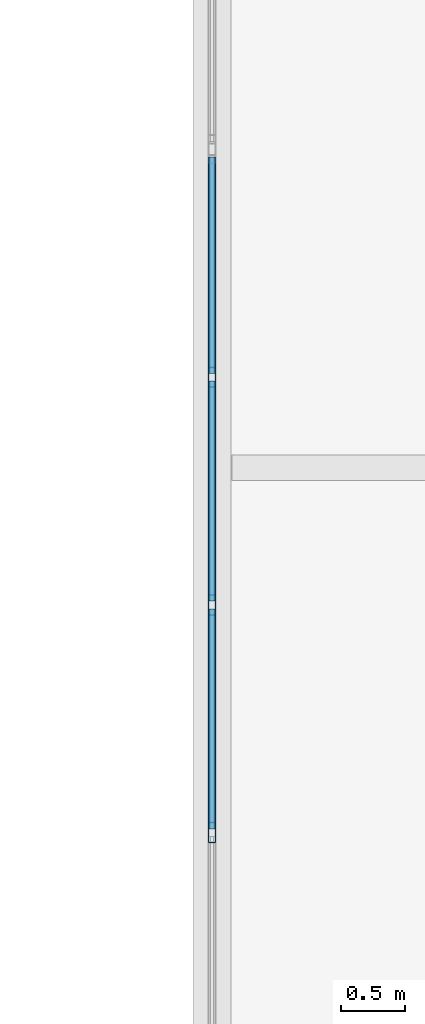
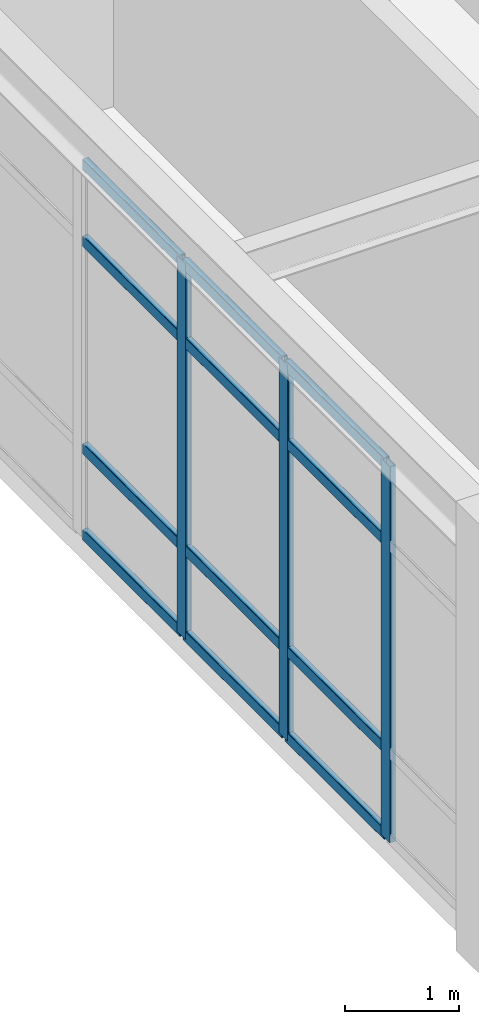
# One storey, part 15 of 76: 15 members, 1 element without a shape of its own.
"""IFC4 building model written with IfcOpenShell, lengths in metres."""

from ifc_helpers import new_model, si_unit, derived_unit, direction, frame, origin, origin_2d, place, context, subcontext, project, spatial, hollow_rectangle, extrude, material, layer, layer_set, material_profile, profile_set, type_object, element, aggregate, save


model = new_model("IFC4")

# Units and contexts
model_context = context("Model", 3, precision=1e-05, world=origin(), true_north=direction((0.0, 1.0)))
body_context = subcontext(model_context, "Body", "Model", "MODEL_VIEW")
ifc_project = project(units=[si_unit("LENGTHUNIT", "METRE"), si_unit("AREAUNIT", "SQUARE_METRE"), si_unit("VOLUMEUNIT", "CUBIC_METRE"), si_unit("PLANEANGLEUNIT", "RADIAN"), si_unit("MASSUNIT", "GRAM", prefix="KILO"), derived_unit("THERMALTRANSMITTANCEUNIT", [(si_unit("MASSUNIT", "GRAM", prefix="KILO"), 1), (si_unit("TIMEUNIT", "SECOND"), -3), (si_unit("THERMODYNAMICTEMPERATUREUNIT", "KELVIN"), -1)])], contexts=[model_context])

# Site, building, storey
site_placement = place(None, origin())
site = spatial("IfcSite", under=ifc_project, at=site_placement, CompositionType="ELEMENT")
building_placement = place(site_placement, origin())
building = spatial("IfcBuilding", under=site, at=building_placement, Name="Qinzheling Arcade Emporium", CompositionType="ELEMENT")
storey_placement = place(building_placement, frame((0.0, 0.0, 26.699951171875)))
storey = spatial("IfcBuildingStorey", under=building, at=storey_placement, Name="L06", CompositionType="ELEMENT", Elevation=26.699951171875)

# Curtain wall, members
ifc_material_1 = material(Name="Anodised aluminium and solar-control double glazing", Category="aluminium")
ifc_layer = layer(ifc_material_1, 0.159912109375, Name="Anodised aluminium and solar-control double glazing", Category="aluminium")
ifc_layer_set = layer_set([ifc_layer], Name="Anodised aluminium and solar-control double glazing")
curtain_wall_type = type_object("IfcCurtainWallType", Name="Atrium Clerestory Curtain Wall", PredefinedType="NOTDEFINED", material=ifc_layer_set)
curtain_wall_placement = place(storey_placement, origin())
curtain_wall = element("IfcCurtainWall", 1, at=curtain_wall_placement, inside=storey, type_object=curtain_wall_type, Name="Curtain Wall CW-L06-364", PredefinedType="NOTDEFINED")
ifc_material_2 = material(Name="Anodised aluminium 6063-T6", Category="aluminium")
ifc_material_profile_1 = material_profile(ifc_material_2, hollow_rectangle(XDim=0.06005859375, YDim=0.159912109375, WallThickness=0.00390625, InnerFilletRadius=0.00390625, OuterFilletRadius=0.008056640625, at=origin_2d()), Name="RHS 160x60x4", Category="aluminium")
ifc_profile_set_1 = profile_set([ifc_material_profile_1], Name="Anodised aluminium 6063-T6")
member_type_1 = type_object("IfcMemberType", Name="Curtain Wall Mullion RHS160x60", PredefinedType="MULLION", material=ifc_profile_set_1)
member_1_placement = place(storey_placement, frame((34.800048828125, 52.53857421875, 0.0), z_axis=(0.0, 0.0, 1.0), x_axis=(-1.0, 0.0, 0.0)))
member_1 = element("IfcMember", 2, at=member_1_placement, type_object=member_type_1, Name="CW03 mullion 2", PredefinedType="MULLION", context=body_context, shape_type="SweptSolid", body=[
    extrude(hollow_rectangle(XDim=0.06005859375, YDim=0.159912109375, WallThickness=0.00390625, InnerFilletRadius=0.00390625, OuterFilletRadius=0.008056640625, at=origin_2d()), origin(), (0.0, 0.0, 1.0), 4.01708984375),
])
member_2_placement = place(storey_placement, frame((34.800048828125, 54.324951171875, 0.0), z_axis=(0.0, 0.0, 1.0), x_axis=(-1.0, 0.0, 0.0)))
member_2 = element("IfcMember", 3, at=member_2_placement, type_object=member_type_1, Name="CW03 mullion 3", PredefinedType="MULLION", context=body_context, shape_type="SweptSolid", body=[
    extrude(hollow_rectangle(XDim=0.06005859375, YDim=0.159912109375, WallThickness=0.00390625, InnerFilletRadius=0.00390625, OuterFilletRadius=0.008056640625, at=origin_2d()), origin(), (0.0, 0.0, 1.0), 4.01708984375),
])
member_3_placement = place(storey_placement, frame((34.800048828125, 56.111572265625, 0.0), z_axis=(0.0, 0.0, 1.0), x_axis=(-1.0, 0.0, 0.0)))
member_3 = element("IfcMember", 4, at=member_3_placement, type_object=member_type_1, Name="CW03 mullion 4", PredefinedType="MULLION", context=body_context, shape_type="SweptSolid", body=[
    extrude(hollow_rectangle(XDim=0.06005859375, YDim=0.159912109375, WallThickness=0.00390625, InnerFilletRadius=0.00390625, OuterFilletRadius=0.008056640625, at=origin_2d()), origin(), (0.0, 0.0, 1.0), 4.01708984375),
])
ifc_material_profile_2 = material_profile(ifc_material_2, hollow_rectangle(XDim=0.06005859375, YDim=0.1201171875, WallThickness=0.00390625, InnerFilletRadius=0.00390625, OuterFilletRadius=0.008056640625, at=origin_2d()), Name="RHS 120x60x4", Category="aluminium")
ifc_profile_set_2 = profile_set([ifc_material_profile_2], Name="Anodised aluminium 6063-T6")
member_type_2 = type_object("IfcMemberType", Name="Curtain Wall Transom RHS120x60", PredefinedType="USERDEFINED", material=ifc_profile_set_2)
member_4_placement = place(storey_placement, frame((34.800048828125, 52.568603515625, 0.030029296875), z_axis=(0.0, 1.0, 0.0), x_axis=(-1.0, 0.0, 0.0)))
member_4 = element("IfcMember", 5, at=member_4_placement, type_object=member_type_2, Name="CW03 transom 2.1", ObjectType="TRANSOM", PredefinedType="USERDEFINED", context=body_context, shape_type="SweptSolid", body=[
    extrude(hollow_rectangle(XDim=0.06005859375, YDim=0.1201171875, WallThickness=0.00390625, InnerFilletRadius=0.00390625, OuterFilletRadius=0.008056640625, at=origin_2d()), origin(), (0.0, 0.0, 1.0), 1.726318359375),
])
member_5_placement = place(storey_placement, frame((34.800048828125, 52.568603515625, 0.949951171875), z_axis=(0.0, 1.0, 0.0), x_axis=(-1.0, 0.0, 0.0)))
member_5 = element("IfcMember", 6, at=member_5_placement, type_object=member_type_2, Name="CW03 transom 2.2", ObjectType="TRANSOM", PredefinedType="USERDEFINED", context=body_context, shape_type="SweptSolid", body=[
    extrude(hollow_rectangle(XDim=0.06005859375, YDim=0.1201171875, WallThickness=0.00390625, InnerFilletRadius=0.00390625, OuterFilletRadius=0.008056640625, at=origin_2d()), origin(), (0.0, 0.0, 1.0), 1.726318359375),
])
member_6_placement = place(storey_placement, frame((34.800048828125, 52.568603515625, 3.1669921875), z_axis=(0.0, 1.0, 0.0), x_axis=(-1.0, 0.0, 0.0)))
member_6 = element("IfcMember", 7, at=member_6_placement, type_object=member_type_2, Name="CW03 transom 2.3", ObjectType="TRANSOM", PredefinedType="USERDEFINED", context=body_context, shape_type="SweptSolid", body=[
    extrude(hollow_rectangle(XDim=0.06005859375, YDim=0.1201171875, WallThickness=0.00390625, InnerFilletRadius=0.00390625, OuterFilletRadius=0.008056640625, at=origin_2d()), origin(), (0.0, 0.0, 1.0), 1.726318359375),
])
member_7_placement = place(storey_placement, frame((34.800048828125, 52.568603515625, 3.987060546875), z_axis=(0.0, 1.0, 0.0), x_axis=(-1.0, 0.0, 0.0)))
member_7 = element("IfcMember", 8, at=member_7_placement, type_object=member_type_2, Name="CW03 transom 2.4", ObjectType="TRANSOM", PredefinedType="USERDEFINED", context=body_context, shape_type="SweptSolid", body=[
    extrude(hollow_rectangle(XDim=0.06005859375, YDim=0.1201171875, WallThickness=0.00390625, InnerFilletRadius=0.00390625, OuterFilletRadius=0.008056640625, at=origin_2d()), origin(), (0.0, 0.0, 1.0), 1.726318359375),
])
member_8_placement = place(storey_placement, frame((34.800048828125, 54.35498046875, 0.030029296875), z_axis=(0.0, 1.0, 0.0), x_axis=(-1.0, 0.0, 0.0)))
member_8 = element("IfcMember", 9, at=member_8_placement, type_object=member_type_2, Name="CW03 transom 3.1", ObjectType="TRANSOM", PredefinedType="USERDEFINED", context=body_context, shape_type="SweptSolid", body=[
    extrude(hollow_rectangle(XDim=0.06005859375, YDim=0.1201171875, WallThickness=0.00390625, InnerFilletRadius=0.00390625, OuterFilletRadius=0.008056640625, at=origin_2d()), origin(), (0.0, 0.0, 1.0), 1.7265625),
])
member_9_placement = place(storey_placement, frame((34.800048828125, 54.35498046875, 0.949951171875), z_axis=(0.0, 1.0, 0.0), x_axis=(-1.0, 0.0, 0.0)))
member_9 = element("IfcMember", 10, at=member_9_placement, type_object=member_type_2, Name="CW03 transom 3.2", ObjectType="TRANSOM", PredefinedType="USERDEFINED", context=body_context, shape_type="SweptSolid", body=[
    extrude(hollow_rectangle(XDim=0.06005859375, YDim=0.1201171875, WallThickness=0.00390625, InnerFilletRadius=0.00390625, OuterFilletRadius=0.008056640625, at=origin_2d()), origin(), (0.0, 0.0, 1.0), 1.7265625),
])
member_10_placement = place(storey_placement, frame((34.800048828125, 54.35498046875, 3.1669921875), z_axis=(0.0, 1.0, 0.0), x_axis=(-1.0, 0.0, 0.0)))
member_10 = element("IfcMember", 11, at=member_10_placement, type_object=member_type_2, Name="CW03 transom 3.3", ObjectType="TRANSOM", PredefinedType="USERDEFINED", context=body_context, shape_type="SweptSolid", body=[
    extrude(hollow_rectangle(XDim=0.06005859375, YDim=0.1201171875, WallThickness=0.00390625, InnerFilletRadius=0.00390625, OuterFilletRadius=0.008056640625, at=origin_2d()), origin(), (0.0, 0.0, 1.0), 1.7265625),
])
member_11_placement = place(storey_placement, frame((34.800048828125, 54.35498046875, 3.987060546875), z_axis=(0.0, 1.0, 0.0), x_axis=(-1.0, 0.0, 0.0)))
member_11 = element("IfcMember", 12, at=member_11_placement, type_object=member_type_2, Name="CW03 transom 3.4", ObjectType="TRANSOM", PredefinedType="USERDEFINED", context=body_context, shape_type="SweptSolid", body=[
    extrude(hollow_rectangle(XDim=0.06005859375, YDim=0.1201171875, WallThickness=0.00390625, InnerFilletRadius=0.00390625, OuterFilletRadius=0.008056640625, at=origin_2d()), origin(), (0.0, 0.0, 1.0), 1.7265625),
])
member_12_placement = place(storey_placement, frame((34.800048828125, 56.1416015625, 0.030029296875), z_axis=(0.0, 1.0, 0.0), x_axis=(-1.0, 0.0, 0.0)))
member_12 = element("IfcMember", 13, at=member_12_placement, type_object=member_type_2, Name="CW03 transom 4.1", ObjectType="TRANSOM", PredefinedType="USERDEFINED", context=body_context, shape_type="SweptSolid", body=[
    extrude(hollow_rectangle(XDim=0.06005859375, YDim=0.1201171875, WallThickness=0.00390625, InnerFilletRadius=0.00390625, OuterFilletRadius=0.008056640625, at=origin_2d()), origin(), (0.0, 0.0, 1.0), 1.6962890625),
])
member_13_placement = place(storey_placement, frame((34.800048828125, 56.1416015625, 0.949951171875), z_axis=(0.0, 1.0, 0.0), x_axis=(-1.0, 0.0, 0.0)))
member_13 = element("IfcMember", 14, at=member_13_placement, type_object=member_type_2, Name="CW03 transom 4.2", ObjectType="TRANSOM", PredefinedType="USERDEFINED", context=body_context, shape_type="SweptSolid", body=[
    extrude(hollow_rectangle(XDim=0.06005859375, YDim=0.1201171875, WallThickness=0.00390625, InnerFilletRadius=0.00390625, OuterFilletRadius=0.008056640625, at=origin_2d()), origin(), (0.0, 0.0, 1.0), 1.6962890625),
])
member_14_placement = place(storey_placement, frame((34.800048828125, 56.1416015625, 3.1669921875), z_axis=(0.0, 1.0, 0.0), x_axis=(-1.0, 0.0, 0.0)))
member_14 = element("IfcMember", 15, at=member_14_placement, type_object=member_type_2, Name="CW03 transom 4.3", ObjectType="TRANSOM", PredefinedType="USERDEFINED", context=body_context, shape_type="SweptSolid", body=[
    extrude(hollow_rectangle(XDim=0.06005859375, YDim=0.1201171875, WallThickness=0.00390625, InnerFilletRadius=0.00390625, OuterFilletRadius=0.008056640625, at=origin_2d()), origin(), (0.0, 0.0, 1.0), 1.6962890625),
])
member_15_placement = place(storey_placement, frame((34.800048828125, 56.1416015625, 3.987060546875), z_axis=(0.0, 1.0, 0.0), x_axis=(-1.0, 0.0, 0.0)))
member_15 = element("IfcMember", 16, at=member_15_placement, type_object=member_type_2, Name="CW03 transom 4.4", ObjectType="TRANSOM", PredefinedType="USERDEFINED", context=body_context, shape_type="SweptSolid", body=[
    extrude(hollow_rectangle(XDim=0.06005859375, YDim=0.1201171875, WallThickness=0.00390625, InnerFilletRadius=0.00390625, OuterFilletRadius=0.008056640625, at=origin_2d()), origin(), (0.0, 0.0, 1.0), 1.6962890625),
])
aggregate(curtain_wall, [member_1, member_2, member_3, member_4, member_5, member_6, member_7, member_8, member_9, member_10, member_11, member_12, member_13, member_14, member_15])

save(model, "model.ifc")
